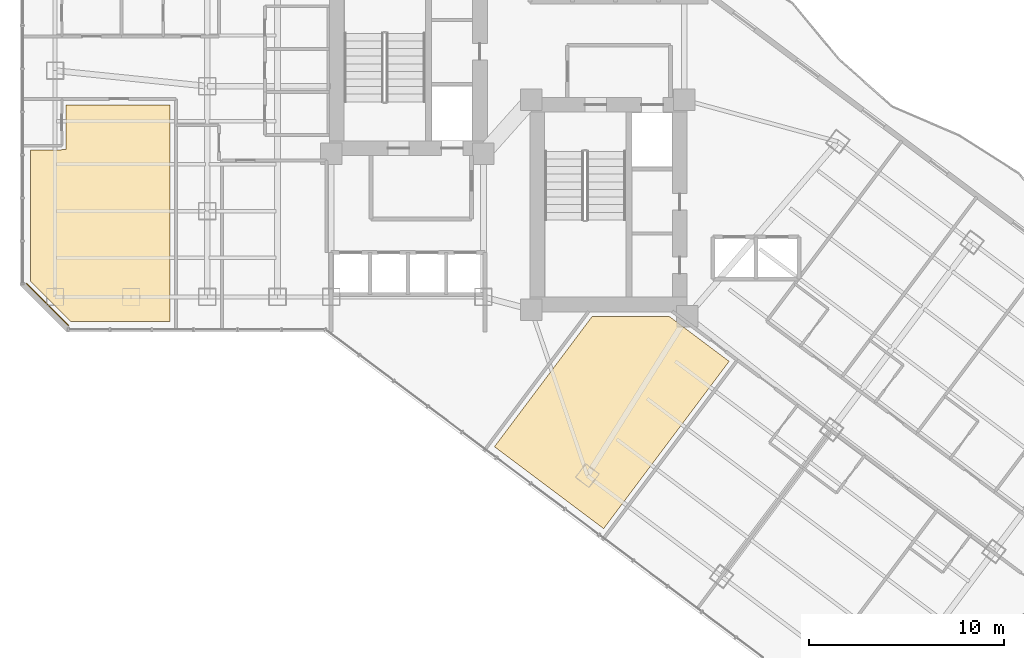
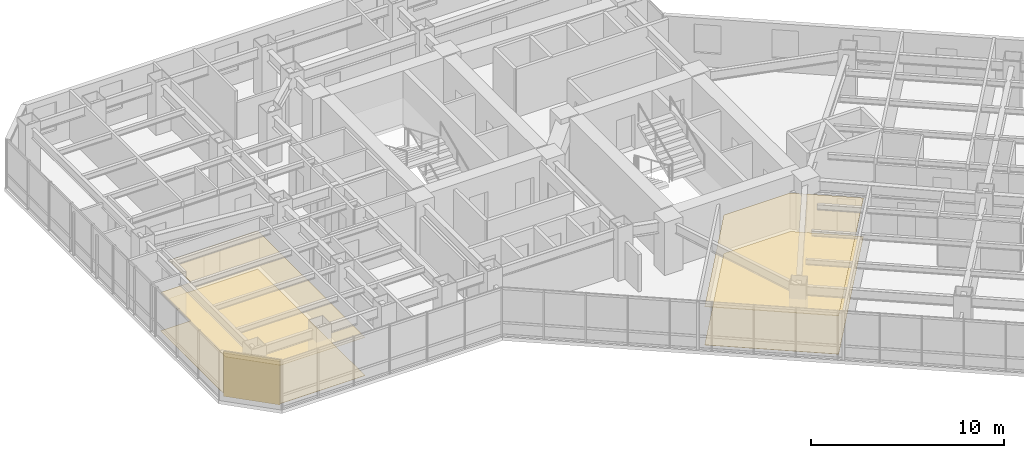
# One storey, part 32 of 36: 5 coverings.
"""IFC4 building model written with IfcOpenShell, lengths in metres."""

from ifc_helpers import new_model, si_unit, direction, frame, origin, origin_2d, place, context, subcontext, project, spatial, polyline, rectangle, outline, extrude, material, layer, layer_set, type_object, element, save


model = new_model("IFC4")

# Units and contexts
model_context = context("Model", 3, precision=1e-05, world=origin(), true_north=direction((0.0, 1.0)))
body_context = subcontext(model_context, "Body", "Model", "MODEL_VIEW")
ifc_project = project(units=[si_unit("LENGTHUNIT", "METRE"), si_unit("AREAUNIT", "SQUARE_METRE"), si_unit("VOLUMEUNIT", "CUBIC_METRE"), si_unit("PLANEANGLEUNIT", "RADIAN"), si_unit("MASSUNIT", "GRAM", prefix="KILO")], contexts=[model_context])

# Site, building, storey
site_placement = place(None, origin())
site = spatial("IfcSite", under=ifc_project, at=site_placement, CompositionType="ELEMENT")
building_placement = place(site_placement, origin())
building = spatial("IfcBuilding", under=site, at=building_placement, Name="Hatsunagi Terrace Concourse", CompositionType="ELEMENT")
storey_placement = place(building_placement, frame((0.0, 0.0, 88.0)))
storey = spatial("IfcBuildingStorey", under=building, at=storey_placement, Name="L23", CompositionType="ELEMENT", Elevation=88.0)

# Coverings
ifc_material_1 = material(Name="Acoustic mineral board", Category="gypsum")
ifc_layer_1 = layer(ifc_material_1, 0.02001953125)
ifc_layer_set_1 = layer_set([ifc_layer_1], Name="AcousticMineralCeiling_20")
covering_type_1 = type_object("IfcCoveringType", Name="AcousticMineralCeiling_20", PredefinedType="CEILING", material=ifc_layer_set_1)
covering_1_placement = place(storey_placement, frame((0.0, 0.0, 2.419921875)))
element("IfcCovering", 1, at=covering_1_placement, inside=storey, type_object=covering_type_1, Name="Suspended Ceiling L23-1", PredefinedType="CEILING", context=body_context, shape_type="SweptSolid", body=[
    extrude(outline(polyline([(12.219970703125, 23.929931640625), (17.2900390625, 23.929931640625), (17.2900390625, 35.050048828125), (11.9580078125, 35.050048828125), (11.9560546875, 32.7451171875), (10.1298828125, 32.741943359375), (10.1298828125, 26.02001953125), (12.219970703125, 23.929931640625)])), origin(), (0.0, 0.0, 1.0), 0.02001953125),
])
ifc_material_2 = material(Name="Hardwood timber", Category="wood")
ifc_layer_2 = layer(ifc_material_2, 0.014892578125)
ifc_layer_set_2 = layer_set([ifc_layer_2], Name="HardwoodTimberFlooring_15")
covering_type_2 = type_object("IfcCoveringType", Name="HardwoodTimberFlooring_15", PredefinedType="FLOORING", material=ifc_layer_set_2)
covering_2_placement = place(storey_placement, origin())
element("IfcCovering", 2, at=covering_2_placement, inside=storey, type_object=covering_type_2, Name="Finished Flooring L23-1", PredefinedType="FLOORING", context=body_context, shape_type="SweptSolid", body=[
    extrude(outline(polyline([(12.219970703125, 23.929931640625), (17.2900390625, 23.929931640625), (17.2900390625, 35.050048828125), (11.9580078125, 35.050048828125), (11.9560546875, 32.7451171875), (10.1298828125, 32.741943359375), (10.1298828125, 26.02001953125), (12.219970703125, 23.929931640625)])), origin(), (0.0, 0.0, 1.0), 0.014892578125),
])
covering_3_placement = place(storey_placement, origin())
element("IfcCovering", 3, at=covering_3_placement, inside=storey, type_object=covering_type_2, Name="Finished Flooring L23-2", PredefinedType="FLOORING", context=body_context, shape_type="SweptSolid", body=[
    extrude(outline(polyline([(39.51806640625, 13.323974609375), (45.949951171875, 21.89990234375), (42.89697265625, 24.18994140625), (38.9169921875, 24.18994140625), (33.91796875, 17.52392578125), (39.51806640625, 13.323974609375)])), origin(), (0.0, 0.0, 1.0), 0.014892578125),
])
ifc_material_3 = material(Name="Unglazed Warm Terracotta Rainscreen Tile", Category="masonry")
ifc_layer_3 = layer(ifc_material_3, 0.044921875)
ifc_layer_set_3 = layer_set([ifc_layer_3], Name="TerracottaRainscreenCladding_45")
covering_type_3 = type_object("IfcCoveringType", Name="TerracottaRainscreenCladding_45", PredefinedType="CLADDING", material=ifc_layer_set_3)
covering_4_placement = place(storey_placement, frame((11.013916015625, 24.81396484375, 0.099853515625), z_axis=(0.0, 0.0, 1.0), x_axis=(-0.707106781187, 0.707106781187, 0.0)))
element("IfcCovering", 4, at=covering_4_placement, inside=storey, type_object=covering_type_3, Name="Terracotta Rainscreen Cladding L23-08", PredefinedType="CLADDING", context=body_context, shape_type="SweptSolid", body=[
    extrude(rectangle(XDim=3.0380859375, YDim=0.044921875, at=origin_2d()), origin(), (0.0, 0.0, 1.0), 2.85009765625),
])
ifc_material_4 = material(Name="Hardwood timber", Category="wood")
ifc_layer_4 = layer(ifc_material_4, 0.034912109375)
ifc_layer_set_4 = layer_set([ifc_layer_4], Name="TimberBaffleCeiling_35")
covering_type_4 = type_object("IfcCoveringType", Name="TimberBaffleCeiling_35", PredefinedType="CEILING", material=ifc_layer_set_4)
covering_5_placement = place(storey_placement, frame((0.0, 0.0, 2.419921875)))
element("IfcCovering", 5, at=covering_5_placement, inside=storey, type_object=covering_type_4, Name="Suspended Ceiling L23-2", PredefinedType="CEILING", context=body_context, shape_type="SweptSolid", body=[
    extrude(outline(polyline([(39.51806640625, 13.323974609375), (45.949951171875, 21.89990234375), (42.89697265625, 24.18994140625), (38.9169921875, 24.18994140625), (33.91796875, 17.52392578125), (39.51806640625, 13.323974609375)])), origin(), (0.0, 0.0, 1.0), 0.03515625),
])

save(model, "model.ifc")
